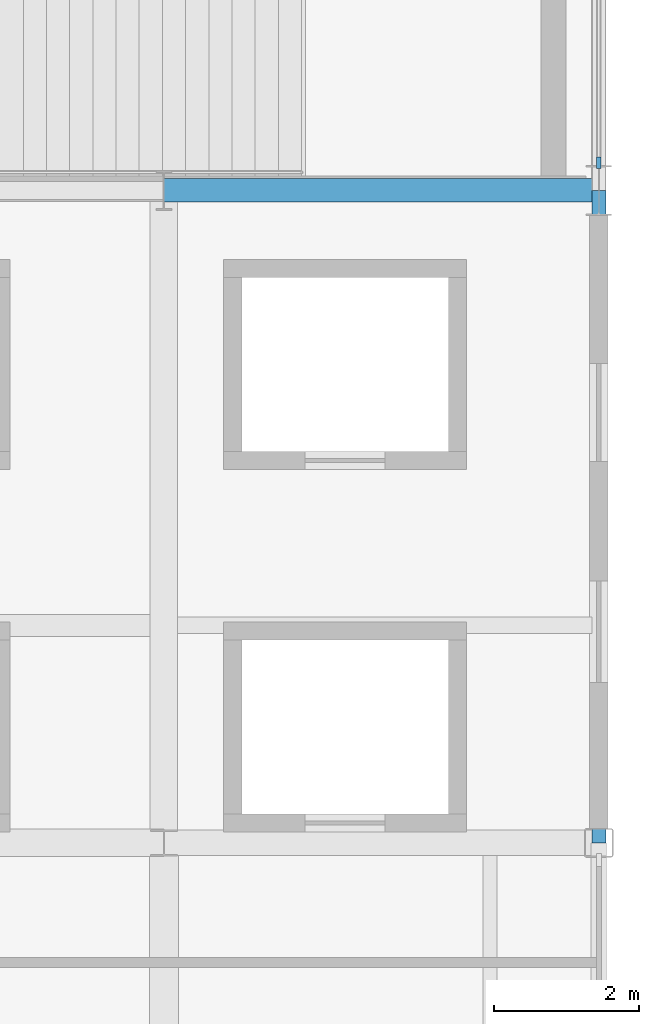
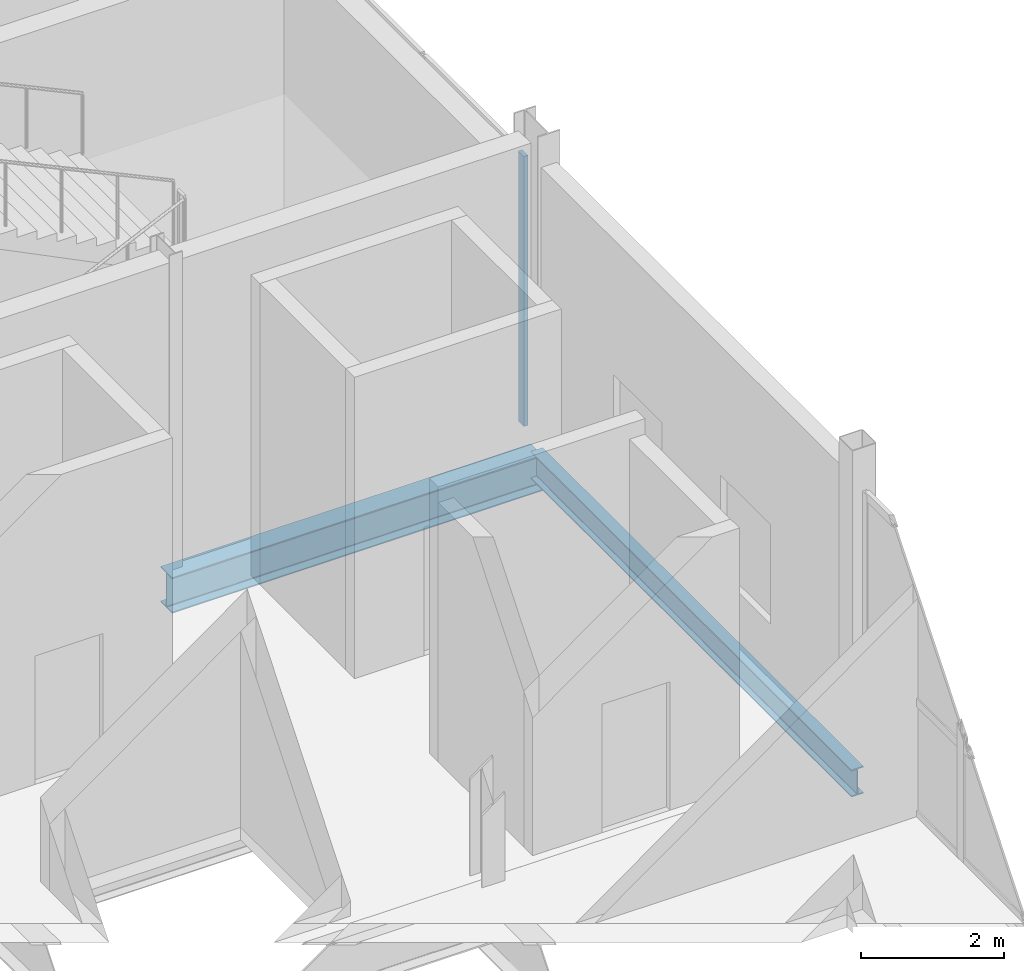
# One storey, part 53 of 119: 2 beams, 1 member, 1 element without a shape of its own.
"""IFC4 building model written with IfcOpenShell, lengths in metres."""

from ifc_helpers import new_model, si_unit, direction, frame, origin, origin_2d, place, context, subcontext, project, spatial, rectangle, i_section, extrude, material, layer, layer_set, material_profile, profile_set, type_object, element, aggregate, save


model = new_model("IFC4")

# Units and contexts
model_context = context("Model", 3, precision=1e-05, world=origin(), true_north=direction((0.0, 1.0)))
body_context = subcontext(model_context, "Body", "Model", "MODEL_VIEW")
ifc_project = project(units=[si_unit("LENGTHUNIT", "METRE"), si_unit("AREAUNIT", "SQUARE_METRE"), si_unit("VOLUMEUNIT", "CUBIC_METRE"), si_unit("PLANEANGLEUNIT", "RADIAN"), si_unit("MASSUNIT", "GRAM", prefix="KILO")], contexts=[model_context])

# Site, building, storey
site_placement = place(None, origin())
site = spatial("IfcSite", under=ifc_project, at=site_placement, CompositionType="ELEMENT")
building_placement = place(site_placement, origin())
building = spatial("IfcBuilding", under=site, at=building_placement, Name="Qamarlyn Nura Convention Centre", CompositionType="ELEMENT")
storey_placement = place(building_placement, frame((0.0, 0.0, 5.39990234375)))
storey = spatial("IfcBuildingStorey", under=building, at=storey_placement, Name="L01", CompositionType="ELEMENT", Elevation=5.39990234375)

# Beams
ifc_material_1 = material(Name="Steel ASTM A992", Category="steel")
ifc_material_profile_1 = material_profile(ifc_material_1, i_section(OverallWidth=0.323974609375, OverallDepth=0.611083984375, WebThickness=0.0126953125, FlangeThickness=0.01904296875, FilletRadius=0.01611328125, at=origin_2d()), Name="W610X155")
ifc_profile_set_1 = profile_set([ifc_material_profile_1], Name="Steel ASTM A992")
beam_type_1 = type_object("IfcBeamType", Name="BM-GIRD-610", PredefinedType="BEAM", material=ifc_profile_set_1)
beam_1_placement = place(storey_placement, frame((186.0, 63.0, -0.525390625), z_axis=(1.0, 0.0, 0.0), x_axis=(0.0, 1.0, 0.0)))
element("IfcBeam", 1, at=beam_1_placement, inside=storey, type_object=beam_type_1, Name="L01 girder H 17-18", PredefinedType="BEAM", context=body_context, shape_type="SweptSolid", body=[
    extrude(i_section(OverallWidth=0.323974609375, OverallDepth=0.611083984375, WebThickness=0.0126953125, FlangeThickness=0.01904296875, FilletRadius=0.01611328125, at=origin_2d()), origin(), (0.0, 0.0, 1.0), 6.0),
])
ifc_material_profile_2 = material_profile(ifc_material_1, i_section(OverallWidth=0.193115234375, OverallDepth=0.466064453125, WebThickness=0.011474609375, FlangeThickness=0.01904296875, FilletRadius=0.012939453125, at=origin_2d()), Name="W460X97")
ifc_profile_set_2 = profile_set([ifc_material_profile_2], Name="Steel ASTM A992")
beam_type_2 = type_object("IfcBeamType", Name="BM-SPAN-460", PredefinedType="SPANDREL", material=ifc_profile_set_2)
beam_2_placement = place(storey_placement, frame((192.0, 54.0, -0.452880859375), z_axis=(0.0, 1.0, 0.0), x_axis=(-1.0, 0.0, 0.0)))
element("IfcBeam", 2, at=beam_2_placement, inside=storey, type_object=beam_type_2, Name="L01 girder 18 G-H", PredefinedType="SPANDREL", context=body_context, shape_type="SweptSolid", body=[
    extrude(i_section(OverallWidth=0.193115234375, OverallDepth=0.466064453125, WebThickness=0.011474609375, FlangeThickness=0.01904296875, FilletRadius=0.012939453125, at=origin_2d()), origin(), (0.0, 0.0, 1.0), 9.0),
])

# Curtain wall, member
ifc_material_2 = material(Name="Double-silver low-E insulated glass", Category="glass")
ifc_layer = layer(ifc_material_2, 0.179931640625, Name="CW-UNIT-70")
ifc_layer_set = layer_set([ifc_layer], Name="Double-silver low-E insulated glass")
curtain_wall_type = type_object("IfcCurtainWallType", Name="CW-UNIT-70", PredefinedType="NOTDEFINED", material=ifc_layer_set)
curtain_wall_placement = place(storey_placement, origin())
curtain_wall = element("IfcCurtainWall", 3, at=curtain_wall_placement, inside=storey, type_object=curtain_wall_type, Name="L01 unitised curtain wall EAST-8-1", PredefinedType="NOTDEFINED")
ifc_material_3 = material(Name="Champagne-anodised marine aluminium", Category="aluminium")
ifc_material_profile_3 = material_profile(ifc_material_3, rectangle(XDim=0.06494140625, YDim=0.159912109375, at=origin_2d()), Name="ALU MULLION 65x160")
ifc_profile_set_3 = profile_set([ifc_material_profile_3], Name="Champagne-anodised marine aluminium")
member_type = type_object("IfcMemberType", Name="CWM-160", PredefinedType="MULLION", material=ifc_profile_set_3)
member_placement = place(storey_placement, frame((192.0, 63.3798828125, 0.0), z_axis=(0.0, 0.0, 1.0), x_axis=(1.0, 0.0, 0.0)))
member = element("IfcMember", 4, at=member_placement, type_object=member_type, Name="CW70 mullion 4", PredefinedType="MULLION", context=body_context, shape_type="SweptSolid", body=[
    extrude(rectangle(XDim=0.06494140625, YDim=0.159912109375, at=origin_2d()), origin(), (0.0, 0.0, 1.0), 4.6259765625),
])
aggregate(curtain_wall, [member])

save(model, "model.ifc")
